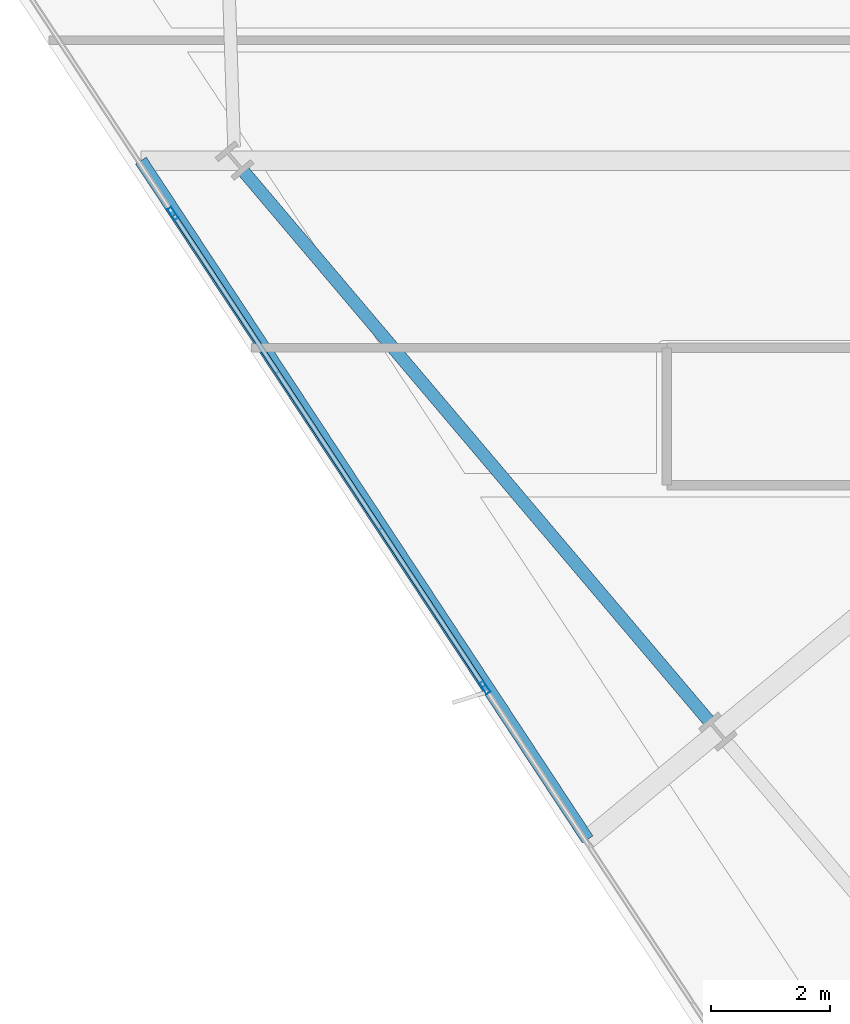
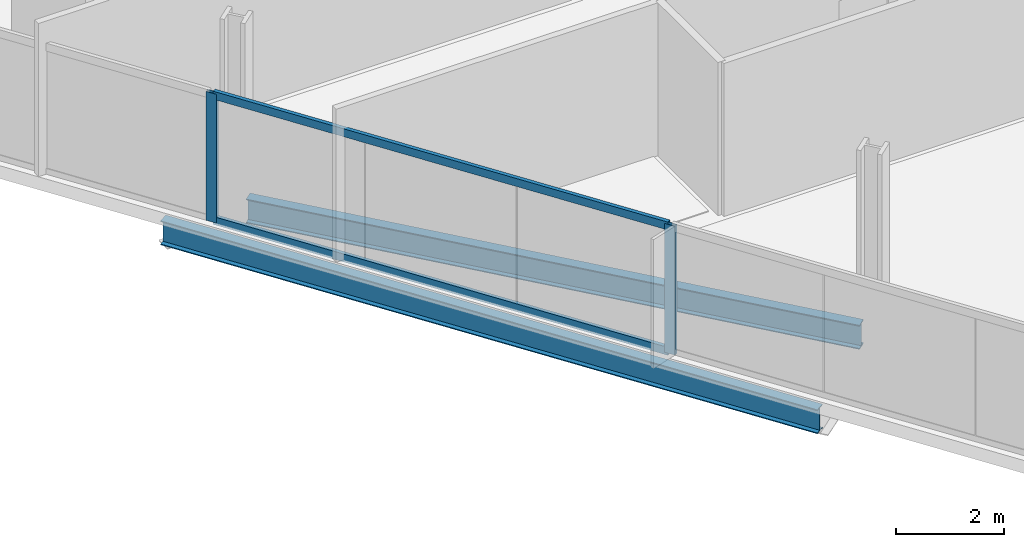
# One storey, part 4 of 29: 4 members, 2 beams, 1 element without a shape of its own.
"""IFC4 building model written with IfcOpenShell, lengths in metres."""

import ifcopenshell
import ifcopenshell.guid

model = None  # the IFC model being written
_history = None  # IfcOwnerHistory: only IFC2X3 demands one
_inside = {}  # id of a spatial element -> (the spatial element, [elements in it])
_under = {}  # id of a project, library or spatial element -> (it, [spatial elements below it])
_declared = {}  # id of a project -> (the project, [libraries it declares])
_typed = {}  # id of a type object -> (the type object, [elements of that type])
_made_of = {}  # id of a material, layer set ... -> (it, [elements and type objects made of it])


def new_model(schema):
    """Start an empty IFC model of exactly this schema.

    Asked for "IFC4X3", IfcOpenShell would pick the latest addendum, in which some entities
    have other attributes; the version numbers below select the first issue.
    IFC2X3 requires an IfcOwnerHistory on every rooted entity: one is made here for all.
    """
    global model, _history
    if schema == "IFC4X3":
        model = ifcopenshell.file(schema_version=(4, 3, 0, 0))
    else:
        model = ifcopenshell.file(schema=schema)
    _inside.clear()
    _under.clear()
    _declared.clear()
    _typed.clear()
    _made_of.clear()
    _history = None
    if model.schema == "IFC2X3":
        org = make("IfcOrganization", Name="unknown")
        user = make(
            "IfcPersonAndOrganization",
            ThePerson=make("IfcPerson", FamilyName="unknown"),
            TheOrganization=org,
        )
        app = make(
            "IfcApplication",
            ApplicationDeveloper=org,
            Version="unknown",
            ApplicationFullName="unknown",
            ApplicationIdentifier="unknown",
        )
        _history = make(
            "IfcOwnerHistory",
            OwningUser=user,
            OwningApplication=app,
            ChangeAction="ADDED",
            CreationDate=0,
        )
    return model


def make(cls, **values):
    """One entity of the class cls with the attributes given. An attribute that is None is left unset."""
    return model.create_entity(
        cls, **{name: value for name, value in values.items() if value is not None}
    )


def rooted(cls, **values):
    """An entity with a GlobalId (a new one), such as an element, a storey or a relation."""
    return make(cls, GlobalId=ifcopenshell.guid.new(), OwnerHistory=_history, **values)


def si_unit(unit_type, name, prefix=None):
    """IfcSIUnit, for example si_unit("LENGTHUNIT", "METRE", prefix="MILLI")."""
    return make("IfcSIUnit", UnitType=unit_type, Prefix=prefix, Name=name)


def assignment(units):
    """IfcUnitAssignment: the units of a project."""
    return None if units is None else make("IfcUnitAssignment", Units=units)


def point(xyz):
    """IfcCartesianPoint."""
    return None if xyz is None else make("IfcCartesianPoint", Coordinates=xyz)


def direction(xyz):
    """IfcDirection."""
    return None if xyz is None else make("IfcDirection", DirectionRatios=xyz)


def frame(location, z_axis=None, x_axis=None):
    """IfcAxis2Placement3D, a coordinate frame: its origin and axes. An axis left out is left unset."""
    return make(
        "IfcAxis2Placement3D",
        Location=point(location),
        Axis=direction(z_axis),
        RefDirection=direction(x_axis),
    )


def frame_2d(location, x_axis=None):
    """IfcAxis2Placement2D, a coordinate frame in the plane: its origin and x axis."""
    return make(
        "IfcAxis2Placement2D", Location=point(location), RefDirection=direction(x_axis)
    )


def origin():
    """The frame at (0, 0, 0) with its axes left unset."""
    return frame((0.0, 0.0, 0.0))


def origin_2d():
    """The frame at (0, 0) in the plane with its x axis left unset."""
    return frame_2d((0.0, 0.0))


def place(relative_to, where):
    """IfcLocalPlacement: puts the frame where relative to a parent placement (None: the world)."""
    return make(
        "IfcLocalPlacement", PlacementRelTo=relative_to, RelativePlacement=where
    )


def context(
    kind, dimensions, precision=None, world=None, true_north=None, identifier=None
):
    """IfcGeometricRepresentationContext, for example the 3D "Model" context."""
    return make(
        "IfcGeometricRepresentationContext",
        ContextIdentifier=identifier,
        ContextType=kind,
        CoordinateSpaceDimension=dimensions,
        Precision=precision,
        WorldCoordinateSystem=world,
        TrueNorth=true_north,
    )


def subcontext(parent, identifier, kind, view, scale=None):
    """IfcGeometricRepresentationSubContext, for example "Body" below "Model"."""
    return make(
        "IfcGeometricRepresentationSubContext",
        ContextIdentifier=identifier,
        ContextType=kind,
        ParentContext=parent,
        TargetScale=scale,
        TargetView=view,
    )


def project(units=None, contexts=None):
    """IfcProject with its units and contexts."""
    return rooted(
        "IfcProject",
        Name="project",
        RepresentationContexts=contexts,
        UnitsInContext=assignment(units),
    )


def spatial(cls, under=None, at=None, **own):
    """A site, building, storey or space (cls), placed at a placement, below another one or the project."""
    s = rooted(cls, ObjectPlacement=at, **own)
    if under is not None:
        _under.setdefault(under.id(), (under, []))[1].append(s)
    return s


def profile(cls, at=None, kind="AREA", **sizes):
    """A parametric profile (cls). Its sizes go by their IFC names, for example OverallWidth=200.0."""
    return make(cls, ProfileType=kind, Position=at, **sizes)


def hollow_rectangle(**sizes):
    """IfcRectangleHollowProfileDef."""
    return profile("IfcRectangleHollowProfileDef", **sizes)


def i_section(**sizes):
    """IfcIShapeProfileDef."""
    return profile("IfcIShapeProfileDef", **sizes)


def extrude(swept, where, along, depth):
    """IfcExtrudedAreaSolid: the profile swept, set in the frame where, extruded along a direction by depth."""
    return make(
        "IfcExtrudedAreaSolid",
        SweptArea=swept,
        Position=where,
        ExtrudedDirection=direction(along),
        Depth=depth,
    )


def shape(context_of_items, identifier, shape_type, items):
    """IfcShapeRepresentation: the items that make up one representation, for example the "Body"."""
    return make(
        "IfcShapeRepresentation",
        ContextOfItems=context_of_items,
        RepresentationIdentifier=identifier,
        RepresentationType=shape_type,
        Items=items,
    )


def material(Name=None, Category=None):
    """IfcMaterial."""
    return make("IfcMaterial", Name=Name, Category=Category)


def material_profile(
    of_material, cross_section, Name=None, Category=None, Priority=None
):
    """IfcMaterialProfile: a cross section and its material."""
    return make(
        "IfcMaterialProfile",
        Name=Name,
        Material=of_material,
        Profile=cross_section,
        Priority=Priority,
        Category=Category,
    )


def profile_set(profiles, Name=None, composite=None):
    """IfcMaterialProfileSet."""
    return make(
        "IfcMaterialProfileSet",
        Name=Name,
        MaterialProfiles=profiles,
        CompositeProfile=composite,
    )


def made_of(thing, what):
    """Note that an element or type object is made of a material, layer set ...; save() writes the relation."""
    if what is not None:
        _made_of.setdefault(what.id(), (what, []))[1].append(thing)
    return thing


def type_object(cls, material=None, **own):
    """A type object (cls), such as IfcWallType, which elements share."""
    return made_of(rooted(cls, **own), material)


def element(
    cls,
    number,
    at=None,
    inside=None,
    cuts=None,
    type_object=None,
    material=None,
    context=None,
    identifier="Body",
    shape_type=None,
    held_by="IfcProductDefinitionShape",
    body=None,
    shapes=None,
    **own,
):
    """One element of the class cls, such as IfcWall. Its Tag is "e" and its number.

    at: its placement. inside: the storey or other place that contains it. cuts: it is an
    opening in that element (IfcRelVoidsElement). A single representation is given by context,
    identifier, shape_type and body (its items); several are given by shapes. held_by: the class
    of the entity that holds the representations. save() writes the other relations.
    """
    e = rooted(cls, Tag="e%d" % number, ObjectPlacement=at, **own)
    if body is not None:
        shapes = [shape(context, identifier, shape_type, body)]
    if shapes is not None:
        e.Representation = make(held_by, Representations=shapes)
    if inside is not None:
        _inside.setdefault(inside.id(), (inside, []))[1].append(e)
    if cuts is not None:
        rooted(
            "IfcRelVoidsElement", RelatingBuildingElement=cuts, RelatedOpeningElement=e
        )
    if type_object is not None:
        _typed.setdefault(type_object.id(), (type_object, []))[1].append(e)
    return made_of(e, material)


def aggregate(whole, parts):
    """IfcRelAggregates: a whole, such as a stair, and the parts it consists of."""
    return rooted("IfcRelAggregates", RelatingObject=whole, RelatedObjects=parts)


def save(model, path):
    """Write the relations noted so far, then the file.

    IfcRelAggregates (storeys below a building ...), IfcRelContainedInSpatialStructure (elements
    in a storey), IfcRelDefinesByType, IfcRelAssociatesMaterial and IfcRelDeclares: one each for
    every whole, place, type object, material and project.
    """
    for whole, parts in _under.values():
        aggregate(whole, parts)
    for where, things in _inside.values():
        rooted(
            "IfcRelContainedInSpatialStructure",
            RelatedElements=things,
            RelatingStructure=where,
        )
    for kind, things in _typed.values():
        rooted("IfcRelDefinesByType", RelatedObjects=things, RelatingType=kind)
    for what, things in _made_of.values():
        rooted("IfcRelAssociatesMaterial", RelatedObjects=things, RelatingMaterial=what)
    for by, libraries in _declared.values():
        rooted("IfcRelDeclares", RelatingContext=by, RelatedDefinitions=libraries)
    model.write(path)


model = new_model("IFC4")

# Units and contexts
model_context = context("Model", 3, precision=1e-05, world=origin(), true_north=direction((0.0, 1.0)))
body_context = subcontext(model_context, "Body", "Model", "MODEL_VIEW")
ifc_project = project(units=[si_unit("LENGTHUNIT", "METRE"), si_unit("AREAUNIT", "SQUARE_METRE"), si_unit("VOLUMEUNIT", "CUBIC_METRE"), si_unit("PLANEANGLEUNIT", "RADIAN"), si_unit("MASSUNIT", "GRAM", prefix="KILO")], contexts=[model_context])

# Site, building, storey
site_placement = place(None, origin())
site = spatial("IfcSite", under=ifc_project, at=site_placement, CompositionType="ELEMENT")
building_placement = place(site_placement, origin())
building = spatial("IfcBuilding", under=site, at=building_placement, Name="Haldenkirk Collegiate Tower", CompositionType="ELEMENT")
storey_placement = place(building_placement, frame((0.0, 0.0, 140.699951171875)))
storey = spatial("IfcBuildingStorey", under=building, at=storey_placement, Name="L34", CompositionType="ELEMENT", Elevation=140.699951171875)

# Beams
ifc_material_1 = material(Name="Steel ASTM A992 Grade 50", Category="steel")
ifc_material_profile_1 = material_profile(ifc_material_1, i_section(OverallWidth=0.2119140625, OverallDepth=0.5439453125, WebThickness=0.01318359375, FlangeThickness=0.021240234375, at=origin_2d()), Name="W21X83")
ifc_profile_set_1 = profile_set([ifc_material_profile_1], Name="Steel ASTM A992 Grade 50")
beam_type = type_object("IfcBeamType", Name="BM-SPANDREL-W21X83", PredefinedType="SPANDREL", material=ifc_profile_set_1)
beam_1_placement = place(storey_placement, frame((11.111328125, 20.80859375, -0.56201171875), z_axis=(0.646126367676, -0.763230448157, 0.0), x_axis=(0.763230448157, 0.646126367676, 0.0)))
element("IfcBeam", 1, at=beam_1_placement, inside=storey, type_object=beam_type, Name="L34 perimeter spandrel beam 14", PredefinedType="SPANDREL", context=body_context, shape_type="SweptSolid", body=[
    extrude(i_section(OverallWidth=0.2119140625, OverallDepth=0.5439453125, WebThickness=0.01318359375, FlangeThickness=0.021240234375, at=origin_2d()), origin(), (0.0, 0.0, 1.0), 12.06494140625),
])
beam_2_placement = place(storey_placement, frame((9.39697265625, 20.9833984375, -0.56201171875), z_axis=(0.549752975205, -0.835327280922, 0.0), x_axis=(0.835327280922, 0.549752975205, 0.0)))
element("IfcBeam", 2, at=beam_2_placement, inside=storey, type_object=beam_type, Name="L34 outer facade edge beam 4", PredefinedType="SPANDREL", context=body_context, shape_type="SweptSolid", body=[
    extrude(i_section(OverallWidth=0.2119140625, OverallDepth=0.5439453125, WebThickness=0.01318359375, FlangeThickness=0.021240234375, at=origin_2d()), origin(), (0.0, 0.0, 1.0), 13.6015625),
])

# Curtain wall, members
ifc_material_2 = material(Name="Anodised architectural bronze aluminium", Category="aluminium")
curtain_wall_type = type_object("IfcCurtainWallType", Name="CW-SYS1-CONVEX-LOW", PredefinedType="USERDEFINED", material=ifc_material_2)
curtain_wall_placement = place(storey_placement, origin())
curtain_wall = element("IfcCurtainWall", 3, at=curtain_wall_placement, inside=storey, type_object=curtain_wall_type, Name="L34 Lower tower convex bronze-framed unitised curtain wall", ObjectType="UNITISED CURTAIN WALL", PredefinedType="USERDEFINED")
ifc_material_profile_2 = material_profile(ifc_material_2, hollow_rectangle(XDim=0.080078125, YDim=0.219970703125, WallThickness=0.0048828125, at=origin_2d()), Name="CW-MUL-1A")
ifc_profile_set_2 = profile_set([ifc_material_profile_2], Name="Anodised architectural bronze aluminium")
member_type_1 = type_object("IfcMemberType", Name="CW-MUL-1A", PredefinedType="MULLION", material=ifc_profile_set_2)
member_1_placement = place(storey_placement, frame((15.155029296875, 12.16162109375, 0.0), z_axis=(0.0, 0.0, 1.0), x_axis=(-0.835327147031, -0.549753178648, 0.0)))
member_1 = element("IfcMember", 4, at=member_1_placement, type_object=member_type_1, Name="CW-1A mullion 3", PredefinedType="MULLION", context=body_context, shape_type="SweptSolid", body=[
    extrude(hollow_rectangle(XDim=0.080078125, YDim=0.219970703125, WallThickness=0.0048828125, at=origin_2d()), origin(), (0.0, 0.0, 1.0), 2.9111328125),
])
member_2_placement = place(storey_placement, frame((9.932373046875, 20.097412109375, 0.0), z_axis=(0.0, 0.0, 1.0), x_axis=(-0.835327147031, -0.549753178648, 0.0)))
member_2 = element("IfcMember", 5, at=member_2_placement, type_object=member_type_1, Name="CW-1A mullion 4", PredefinedType="MULLION", context=body_context, shape_type="SweptSolid", body=[
    extrude(hollow_rectangle(XDim=0.080078125, YDim=0.219970703125, WallThickness=0.0048828125, at=origin_2d()), origin(), (0.0, 0.0, 1.0), 2.9111328125),
])
ifc_material_profile_3 = material_profile(ifc_material_2, hollow_rectangle(XDim=0.080078125, YDim=0.179931640625, WallThickness=0.0048828125, at=origin_2d()), Name="CW-TRN-1A")
ifc_profile_set_3 = profile_set([ifc_material_profile_3], Name="Anodised architectural bronze aluminium")
member_type_2 = type_object("IfcMemberType", Name="CW-TRN-1A", PredefinedType="USERDEFINED", material=ifc_profile_set_3)
member_3_placement = place(storey_placement, frame((15.133056640625, 12.195068359375, 0.0400390625), z_axis=(-0.549750250423, 0.835329074174, 0.0), x_axis=(-0.835329074174, -0.549750250423, 0.0)))
member_3 = element("IfcMember", 6, at=member_3_placement, type_object=member_type_2, Name="CW-1A transom 3.1", ObjectType="TRANSOM", PredefinedType="USERDEFINED", context=body_context, shape_type="SweptSolid", body=[
    extrude(hollow_rectangle(XDim=0.080078125, YDim=0.179931640625, WallThickness=0.0048828125, at=origin_2d()), origin(), (0.0, 0.0, 1.0), 9.420166015625),
])
member_4_placement = place(storey_placement, frame((15.133056640625, 12.195068359375, 2.87109375), z_axis=(-0.549750250423, 0.835329074174, 0.0), x_axis=(-0.835329074174, -0.549750250423, 0.0)))
member_4 = element("IfcMember", 7, at=member_4_placement, type_object=member_type_2, Name="CW-1A transom 3.2", ObjectType="TRANSOM", PredefinedType="USERDEFINED", context=body_context, shape_type="SweptSolid", body=[
    extrude(hollow_rectangle(XDim=0.080078125, YDim=0.179931640625, WallThickness=0.0048828125, at=origin_2d()), origin(), (0.0, 0.0, 1.0), 9.420166015625),
])
aggregate(curtain_wall, [member_1, member_2, member_3, member_4])

save(model, "model.ifc")
